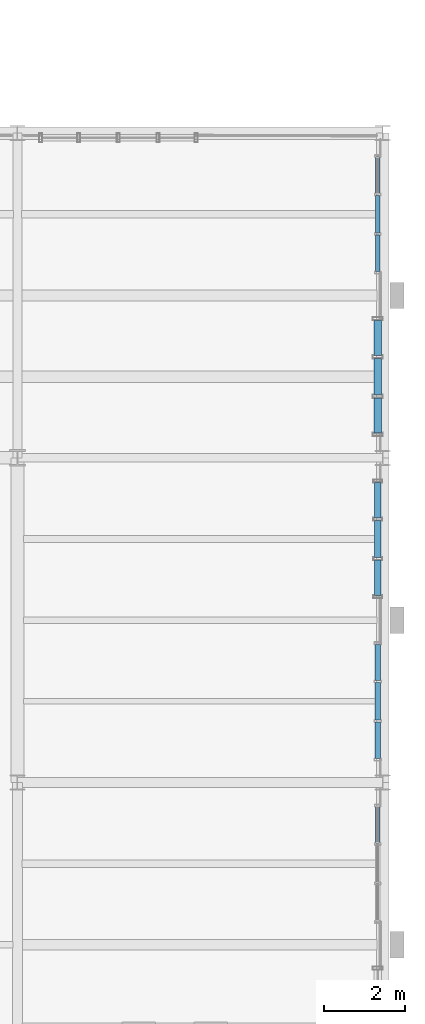
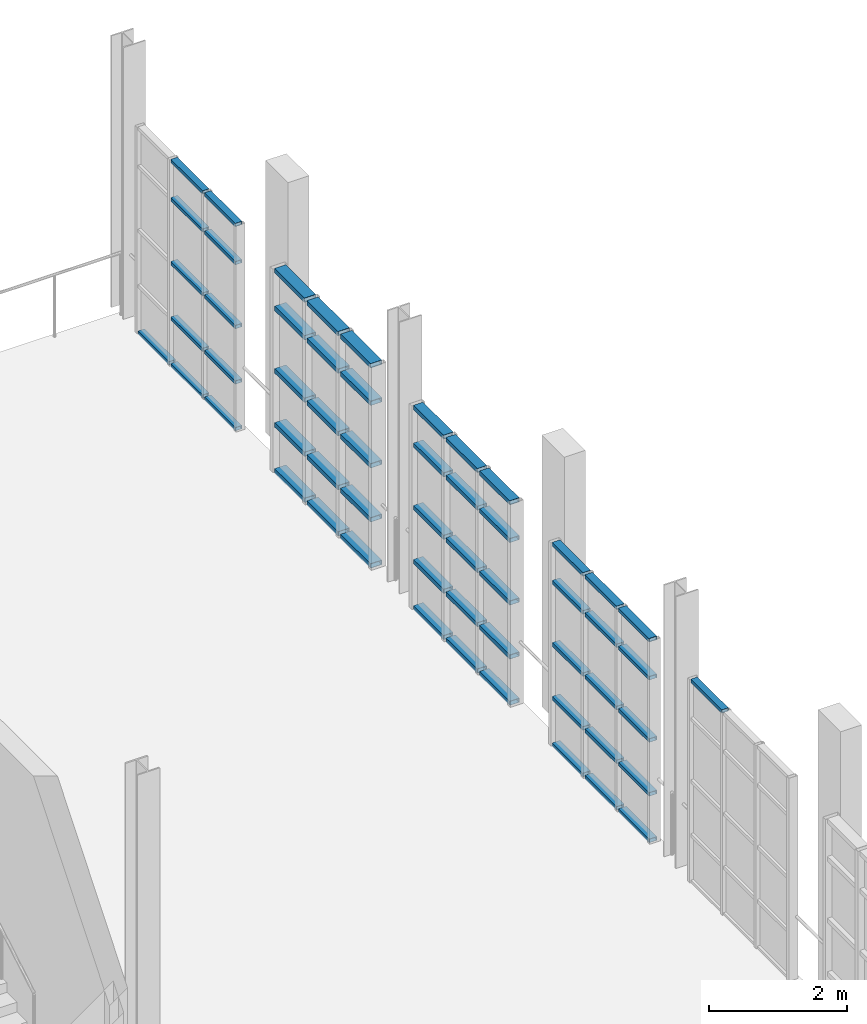
# One storey, part 76 of 122: 57 members, 5 elements without a shape of their own.
"""IFC4 building model written with IfcOpenShell, lengths in metres."""

from ifc_helpers import new_model, si_unit, direction, frame, origin, origin_2d, place, context, subcontext, project, spatial, hollow_rectangle, extrude, material, layer, layer_set, material_profile, profile_set, type_object, element, aggregate, save


model = new_model("IFC4")

# Units and contexts
model_context = context("Model", 3, precision=1e-05, world=origin(), true_north=direction((0.0, 1.0)))
body_context = subcontext(model_context, "Body", "Model", "MODEL_VIEW")
ifc_project = project(units=[si_unit("LENGTHUNIT", "METRE"), si_unit("AREAUNIT", "SQUARE_METRE"), si_unit("VOLUMEUNIT", "CUBIC_METRE"), si_unit("PLANEANGLEUNIT", "RADIAN"), si_unit("MASSUNIT", "GRAM", prefix="KILO"), si_unit("THERMODYNAMICTEMPERATUREUNIT", "KELVIN"), si_unit("POWERUNIT", "WATT")], contexts=[model_context])

# Site, building, storey
site_placement = place(None, origin())
site = spatial("IfcSite", under=ifc_project, at=site_placement, CompositionType="ELEMENT")
building_placement = place(site_placement, origin())
building = spatial("IfcBuilding", under=site, at=building_placement, Name="Zelmaris Science Centre", CompositionType="ELEMENT")
storey_placement = place(building_placement, frame((0.0, 0.0, 10.800048828125)))
storey = spatial("IfcBuildingStorey", under=building, at=storey_placement, Name="L02", CompositionType="ELEMENT", Elevation=10.800048828125)

# Curtain wall, members
ifc_material = material(Name="Anodised architectural aluminium 6063-T6", Category="aluminium")
ifc_layer_1 = layer(ifc_material, 0.219970703125, Name="Anodised architectural aluminium 6063-T6")
ifc_layer_set_1 = layer_set([ifc_layer_1], Name="Anodised architectural aluminium 6063-T6")
curtain_wall_type_1 = type_object("IfcCurtainWallType", Name="Curtain Wall CW-04", PredefinedType="USERDEFINED", material=ifc_layer_set_1)
curtain_wall_1_placement = place(storey_placement, origin())
curtain_wall_1 = element("IfcCurtainWall", 1, at=curtain_wall_1_placement, inside=storey, type_object=curtain_wall_type_1, Name="L02 Unitised curtain wall 224", ObjectType="GLAZED CURTAIN WALL", PredefinedType="USERDEFINED")
ifc_material_profile_1 = material_profile(ifc_material, hollow_rectangle(XDim=0.06005859375, YDim=0.110107421875, WallThickness=0.0029296875, at=origin_2d()), Name="ALU-TRN-60X110")
ifc_profile_set_1 = profile_set([ifc_material_profile_1], Name="Anodised architectural aluminium 6063-T6")
member_type_1 = type_object("IfcMemberType", Name="ALU-TRN-60X110", PredefinedType="USERDEFINED", material=ifc_profile_set_1)
member_1_placement = place(storey_placement, frame((143.8798828125, 55.407958984375, 0.010986328125), z_axis=(0.0, -1.0, 0.0), x_axis=(0.0, 0.0, 1.0)))
member_1 = element("IfcMember", 2, at=member_1_placement, type_object=member_type_1, Name="CW-04 transom 1.1", ObjectType="TRANSOM", PredefinedType="USERDEFINED", context=body_context, shape_type="SweptSolid", body=[
    extrude(hollow_rectangle(XDim=0.06005859375, YDim=0.110107421875, WallThickness=0.0029296875, at=origin_2d()), origin(), (0.0, 0.0, 1.0), 0.895263671875),
])
member_2_placement = place(storey_placement, frame((143.8798828125, 54.460693359375, 0.010986328125), z_axis=(0.0, -1.0, 0.0), x_axis=(0.0, 0.0, 1.0)))
member_2 = element("IfcMember", 3, at=member_2_placement, type_object=member_type_1, Name="CW-04 transom 2.1", ObjectType="TRANSOM", PredefinedType="USERDEFINED", context=body_context, shape_type="SweptSolid", body=[
    extrude(hollow_rectangle(XDim=0.06005859375, YDim=0.110107421875, WallThickness=0.0029296875, at=origin_2d()), origin(), (0.0, 0.0, 1.0), 0.92138671875),
])
member_3_placement = place(storey_placement, frame((143.8798828125, 54.460693359375, 0.8349609375), z_axis=(0.0, -1.0, 0.0), x_axis=(0.0, 0.0, 1.0)))
member_3 = element("IfcMember", 4, at=member_3_placement, type_object=member_type_1, Name="CW-04 transom 2.2", ObjectType="TRANSOM", PredefinedType="USERDEFINED", context=body_context, shape_type="SweptSolid", body=[
    extrude(hollow_rectangle(XDim=0.06005859375, YDim=0.110107421875, WallThickness=0.0029296875, at=origin_2d()), origin(), (0.0, 0.0, 1.0), 0.92138671875),
])
member_4_placement = place(storey_placement, frame((143.8798828125, 54.460693359375, 1.814453125), z_axis=(0.0, -1.0, 0.0), x_axis=(0.0, 0.0, 1.0)))
member_4 = element("IfcMember", 5, at=member_4_placement, type_object=member_type_1, Name="CW-04 transom 2.3", ObjectType="TRANSOM", PredefinedType="USERDEFINED", context=body_context, shape_type="SweptSolid", body=[
    extrude(hollow_rectangle(XDim=0.06005859375, YDim=0.110107421875, WallThickness=0.0029296875, at=origin_2d()), origin(), (0.0, 0.0, 1.0), 0.92138671875),
])
member_5_placement = place(storey_placement, frame((143.8798828125, 54.460693359375, 2.94384765625), z_axis=(0.0, -1.0, 0.0), x_axis=(0.0, 0.0, 1.0)))
member_5 = element("IfcMember", 6, at=member_5_placement, type_object=member_type_1, Name="CW-04 transom 2.4", ObjectType="TRANSOM", PredefinedType="USERDEFINED", context=body_context, shape_type="SweptSolid", body=[
    extrude(hollow_rectangle(XDim=0.06005859375, YDim=0.110107421875, WallThickness=0.0029296875, at=origin_2d()), origin(), (0.0, 0.0, 1.0), 0.92138671875),
])
member_6_placement = place(storey_placement, frame((143.8798828125, 54.460693359375, 3.617919921875), z_axis=(0.0, -1.0, 0.0), x_axis=(0.0, 0.0, 1.0)))
member_6 = element("IfcMember", 7, at=member_6_placement, type_object=member_type_1, Name="CW-04 transom 2.5", ObjectType="TRANSOM", PredefinedType="USERDEFINED", context=body_context, shape_type="SweptSolid", body=[
    extrude(hollow_rectangle(XDim=0.06005859375, YDim=0.110107421875, WallThickness=0.0029296875, at=origin_2d()), origin(), (0.0, 0.0, 1.0), 0.92138671875),
])
member_7_placement = place(storey_placement, frame((143.8798828125, 53.4873046875, 0.010986328125), z_axis=(0.0, -1.0, 0.0), x_axis=(0.0, 0.0, 1.0)))
member_7 = element("IfcMember", 8, at=member_7_placement, type_object=member_type_1, Name="CW-04 transom 3.1", ObjectType="TRANSOM", PredefinedType="USERDEFINED", context=body_context, shape_type="SweptSolid", body=[
    extrude(hollow_rectangle(XDim=0.06005859375, YDim=0.110107421875, WallThickness=0.0029296875, at=origin_2d()), origin(), (0.0, 0.0, 1.0), 0.895263671875),
])
member_8_placement = place(storey_placement, frame((143.8798828125, 53.4873046875, 0.8349609375), z_axis=(0.0, -1.0, 0.0), x_axis=(0.0, 0.0, 1.0)))
member_8 = element("IfcMember", 9, at=member_8_placement, type_object=member_type_1, Name="CW-04 transom 3.2", ObjectType="TRANSOM", PredefinedType="USERDEFINED", context=body_context, shape_type="SweptSolid", body=[
    extrude(hollow_rectangle(XDim=0.06005859375, YDim=0.110107421875, WallThickness=0.0029296875, at=origin_2d()), origin(), (0.0, 0.0, 1.0), 0.895263671875),
])
member_9_placement = place(storey_placement, frame((143.8798828125, 53.4873046875, 1.814453125), z_axis=(0.0, -1.0, 0.0), x_axis=(0.0, 0.0, 1.0)))
member_9 = element("IfcMember", 10, at=member_9_placement, type_object=member_type_1, Name="CW-04 transom 3.3", ObjectType="TRANSOM", PredefinedType="USERDEFINED", context=body_context, shape_type="SweptSolid", body=[
    extrude(hollow_rectangle(XDim=0.06005859375, YDim=0.110107421875, WallThickness=0.0029296875, at=origin_2d()), origin(), (0.0, 0.0, 1.0), 0.895263671875),
])
member_10_placement = place(storey_placement, frame((143.8798828125, 53.4873046875, 2.94384765625), z_axis=(0.0, -1.0, 0.0), x_axis=(0.0, 0.0, 1.0)))
member_10 = element("IfcMember", 11, at=member_10_placement, type_object=member_type_1, Name="CW-04 transom 3.4", ObjectType="TRANSOM", PredefinedType="USERDEFINED", context=body_context, shape_type="SweptSolid", body=[
    extrude(hollow_rectangle(XDim=0.06005859375, YDim=0.110107421875, WallThickness=0.0029296875, at=origin_2d()), origin(), (0.0, 0.0, 1.0), 0.895263671875),
])
member_11_placement = place(storey_placement, frame((143.8798828125, 53.4873046875, 3.617919921875), z_axis=(0.0, -1.0, 0.0), x_axis=(0.0, 0.0, 1.0)))
member_11 = element("IfcMember", 12, at=member_11_placement, type_object=member_type_1, Name="CW-04 transom 3.5", ObjectType="TRANSOM", PredefinedType="USERDEFINED", context=body_context, shape_type="SweptSolid", body=[
    extrude(hollow_rectangle(XDim=0.06005859375, YDim=0.110107421875, WallThickness=0.0029296875, at=origin_2d()), origin(), (0.0, 0.0, 1.0), 0.895263671875),
])
aggregate(curtain_wall_1, [member_1, member_2, member_3, member_4, member_5, member_6, member_7, member_8, member_9, member_10, member_11])

# Curtain wall, member
curtain_wall_2_placement = place(storey_placement, origin())
curtain_wall_2 = element("IfcCurtainWall", 13, at=curtain_wall_2_placement, inside=storey, type_object=curtain_wall_type_1, Name="L02 Unitised curtain wall 228", ObjectType="GLAZED CURTAIN WALL", PredefinedType="USERDEFINED")
member_12_placement = place(storey_placement, frame((143.8798828125, 39.407958984375, 3.56005859375), z_axis=(0.0, -1.0, 0.0), x_axis=(0.0, 0.0, 1.0)))
member_12 = element("IfcMember", 14, at=member_12_placement, type_object=member_type_1, Name="CW-04 transom 1.5", ObjectType="TRANSOM", PredefinedType="USERDEFINED", context=body_context, shape_type="SweptSolid", body=[
    extrude(hollow_rectangle(XDim=0.06005859375, YDim=0.110107421875, WallThickness=0.0029296875, at=origin_2d()), origin(), (0.0, 0.0, 1.0), 0.895263671875),
])
aggregate(curtain_wall_2, [member_12])

# Curtain wall, members
ifc_layer_2 = layer(ifc_material, 0.2099609375, Name="Anodised architectural aluminium 6063-T6")
ifc_layer_set_2 = layer_set([ifc_layer_2], Name="Anodised architectural aluminium 6063-T6")
curtain_wall_type_2 = type_object("IfcCurtainWallType", Name="Curtain Wall CW-03", PredefinedType="USERDEFINED", material=ifc_layer_set_2)
curtain_wall_3_placement = place(storey_placement, origin())
curtain_wall_3 = element("IfcCurtainWall", 15, at=curtain_wall_3_placement, inside=storey, type_object=curtain_wall_type_2, Name="L02 Unitised curtain wall 227", ObjectType="GLAZED CURTAIN WALL", PredefinedType="USERDEFINED")
ifc_material_profile_2 = material_profile(ifc_material, hollow_rectangle(XDim=0.06494140625, YDim=0.1298828125, WallThickness=0.00341796875, at=origin_2d()), Name="ALU-TRN-65X130")
ifc_profile_set_2 = profile_set([ifc_material_profile_2], Name="Anodised architectural aluminium 6063-T6")
member_type_2 = type_object("IfcMemberType", Name="ALU-TRN-65X130", PredefinedType="USERDEFINED", material=ifc_profile_set_2)
member_13_placement = place(storey_placement, frame((143.8798828125, 43.403076171875, 0.013427734375), z_axis=(0.0, -1.0, 0.0), x_axis=(0.0, 0.0, 1.0)))
member_13 = element("IfcMember", 16, at=member_13_placement, type_object=member_type_2, Name="CW-03 transom 1.1", ObjectType="TRANSOM", PredefinedType="USERDEFINED", context=body_context, shape_type="SweptSolid", body=[
    extrude(hollow_rectangle(XDim=0.06494140625, YDim=0.1298828125, WallThickness=0.00341796875, at=origin_2d()), origin(), (0.0, 0.0, 1.0), 0.887939453125),
])
member_14_placement = place(storey_placement, frame((143.8798828125, 43.403076171875, 0.8349609375), z_axis=(0.0, -1.0, 0.0), x_axis=(0.0, 0.0, 1.0)))
member_14 = element("IfcMember", 17, at=member_14_placement, type_object=member_type_2, Name="CW-03 transom 1.2", ObjectType="TRANSOM", PredefinedType="USERDEFINED", context=body_context, shape_type="SweptSolid", body=[
    extrude(hollow_rectangle(XDim=0.06494140625, YDim=0.1298828125, WallThickness=0.00341796875, at=origin_2d()), origin(), (0.0, 0.0, 1.0), 0.887939453125),
])
member_15_placement = place(storey_placement, frame((143.8798828125, 43.403076171875, 1.785400390625), z_axis=(0.0, -1.0, 0.0), x_axis=(0.0, 0.0, 1.0)))
member_15 = element("IfcMember", 18, at=member_15_placement, type_object=member_type_2, Name="CW-03 transom 1.3", ObjectType="TRANSOM", PredefinedType="USERDEFINED", context=body_context, shape_type="SweptSolid", body=[
    extrude(hollow_rectangle(XDim=0.06494140625, YDim=0.1298828125, WallThickness=0.00341796875, at=origin_2d()), origin(), (0.0, 0.0, 1.0), 0.887939453125),
])
member_16_placement = place(storey_placement, frame((143.8798828125, 43.403076171875, 2.885986328125), z_axis=(0.0, -1.0, 0.0), x_axis=(0.0, 0.0, 1.0)))
member_16 = element("IfcMember", 19, at=member_16_placement, type_object=member_type_2, Name="CW-03 transom 1.4", ObjectType="TRANSOM", PredefinedType="USERDEFINED", context=body_context, shape_type="SweptSolid", body=[
    extrude(hollow_rectangle(XDim=0.06494140625, YDim=0.1298828125, WallThickness=0.00341796875, at=origin_2d()), origin(), (0.0, 0.0, 1.0), 0.887939453125),
])
member_17_placement = place(storey_placement, frame((143.8798828125, 43.403076171875, 3.557373046875), z_axis=(0.0, -1.0, 0.0), x_axis=(0.0, 0.0, 1.0)))
member_17 = element("IfcMember", 20, at=member_17_placement, type_object=member_type_2, Name="CW-03 transom 1.5", ObjectType="TRANSOM", PredefinedType="USERDEFINED", context=body_context, shape_type="SweptSolid", body=[
    extrude(hollow_rectangle(XDim=0.06494140625, YDim=0.1298828125, WallThickness=0.00341796875, at=origin_2d()), origin(), (0.0, 0.0, 1.0), 0.887939453125),
])
member_18_placement = place(storey_placement, frame((143.8798828125, 42.458251953125, 0.013427734375), z_axis=(0.0, -1.0, 0.0), x_axis=(0.0, 0.0, 1.0)))
member_18 = element("IfcMember", 21, at=member_18_placement, type_object=member_type_2, Name="CW-03 transom 2.1", ObjectType="TRANSOM", PredefinedType="USERDEFINED", context=body_context, shape_type="SweptSolid", body=[
    extrude(hollow_rectangle(XDim=0.06494140625, YDim=0.1298828125, WallThickness=0.00341796875, at=origin_2d()), origin(), (0.0, 0.0, 1.0), 0.91650390625),
])
member_19_placement = place(storey_placement, frame((143.8798828125, 42.458251953125, 0.8349609375), z_axis=(0.0, -1.0, 0.0), x_axis=(0.0, 0.0, 1.0)))
member_19 = element("IfcMember", 22, at=member_19_placement, type_object=member_type_2, Name="CW-03 transom 2.2", ObjectType="TRANSOM", PredefinedType="USERDEFINED", context=body_context, shape_type="SweptSolid", body=[
    extrude(hollow_rectangle(XDim=0.06494140625, YDim=0.1298828125, WallThickness=0.00341796875, at=origin_2d()), origin(), (0.0, 0.0, 1.0), 0.91650390625),
])
member_20_placement = place(storey_placement, frame((143.8798828125, 42.458251953125, 1.785400390625), z_axis=(0.0, -1.0, 0.0), x_axis=(0.0, 0.0, 1.0)))
member_20 = element("IfcMember", 23, at=member_20_placement, type_object=member_type_2, Name="CW-03 transom 2.3", ObjectType="TRANSOM", PredefinedType="USERDEFINED", context=body_context, shape_type="SweptSolid", body=[
    extrude(hollow_rectangle(XDim=0.06494140625, YDim=0.1298828125, WallThickness=0.00341796875, at=origin_2d()), origin(), (0.0, 0.0, 1.0), 0.91650390625),
])
member_21_placement = place(storey_placement, frame((143.8798828125, 42.458251953125, 2.885986328125), z_axis=(0.0, -1.0, 0.0), x_axis=(0.0, 0.0, 1.0)))
member_21 = element("IfcMember", 24, at=member_21_placement, type_object=member_type_2, Name="CW-03 transom 2.4", ObjectType="TRANSOM", PredefinedType="USERDEFINED", context=body_context, shape_type="SweptSolid", body=[
    extrude(hollow_rectangle(XDim=0.06494140625, YDim=0.1298828125, WallThickness=0.00341796875, at=origin_2d()), origin(), (0.0, 0.0, 1.0), 0.91650390625),
])
member_22_placement = place(storey_placement, frame((143.8798828125, 42.458251953125, 3.557373046875), z_axis=(0.0, -1.0, 0.0), x_axis=(0.0, 0.0, 1.0)))
member_22 = element("IfcMember", 25, at=member_22_placement, type_object=member_type_2, Name="CW-03 transom 2.5", ObjectType="TRANSOM", PredefinedType="USERDEFINED", context=body_context, shape_type="SweptSolid", body=[
    extrude(hollow_rectangle(XDim=0.06494140625, YDim=0.1298828125, WallThickness=0.00341796875, at=origin_2d()), origin(), (0.0, 0.0, 1.0), 0.91650390625),
])
member_23_placement = place(storey_placement, frame((143.8798828125, 41.48486328125, 0.013427734375), z_axis=(0.0, -1.0, 0.0), x_axis=(0.0, 0.0, 1.0)))
member_23 = element("IfcMember", 26, at=member_23_placement, type_object=member_type_2, Name="CW-03 transom 3.1", ObjectType="TRANSOM", PredefinedType="USERDEFINED", context=body_context, shape_type="SweptSolid", body=[
    extrude(hollow_rectangle(XDim=0.06494140625, YDim=0.1298828125, WallThickness=0.00341796875, at=origin_2d()), origin(), (0.0, 0.0, 1.0), 0.887939453125),
])
member_24_placement = place(storey_placement, frame((143.8798828125, 41.48486328125, 0.8349609375), z_axis=(0.0, -1.0, 0.0), x_axis=(0.0, 0.0, 1.0)))
member_24 = element("IfcMember", 27, at=member_24_placement, type_object=member_type_2, Name="CW-03 transom 3.2", ObjectType="TRANSOM", PredefinedType="USERDEFINED", context=body_context, shape_type="SweptSolid", body=[
    extrude(hollow_rectangle(XDim=0.06494140625, YDim=0.1298828125, WallThickness=0.00341796875, at=origin_2d()), origin(), (0.0, 0.0, 1.0), 0.887939453125),
])
member_25_placement = place(storey_placement, frame((143.8798828125, 41.48486328125, 1.785400390625), z_axis=(0.0, -1.0, 0.0), x_axis=(0.0, 0.0, 1.0)))
member_25 = element("IfcMember", 28, at=member_25_placement, type_object=member_type_2, Name="CW-03 transom 3.3", ObjectType="TRANSOM", PredefinedType="USERDEFINED", context=body_context, shape_type="SweptSolid", body=[
    extrude(hollow_rectangle(XDim=0.06494140625, YDim=0.1298828125, WallThickness=0.00341796875, at=origin_2d()), origin(), (0.0, 0.0, 1.0), 0.887939453125),
])
member_26_placement = place(storey_placement, frame((143.8798828125, 41.48486328125, 2.885986328125), z_axis=(0.0, -1.0, 0.0), x_axis=(0.0, 0.0, 1.0)))
member_26 = element("IfcMember", 29, at=member_26_placement, type_object=member_type_2, Name="CW-03 transom 3.4", ObjectType="TRANSOM", PredefinedType="USERDEFINED", context=body_context, shape_type="SweptSolid", body=[
    extrude(hollow_rectangle(XDim=0.06494140625, YDim=0.1298828125, WallThickness=0.00341796875, at=origin_2d()), origin(), (0.0, 0.0, 1.0), 0.887939453125),
])
member_27_placement = place(storey_placement, frame((143.8798828125, 41.48486328125, 3.557373046875), z_axis=(0.0, -1.0, 0.0), x_axis=(0.0, 0.0, 1.0)))
member_27 = element("IfcMember", 30, at=member_27_placement, type_object=member_type_2, Name="CW-03 transom 3.5", ObjectType="TRANSOM", PredefinedType="USERDEFINED", context=body_context, shape_type="SweptSolid", body=[
    extrude(hollow_rectangle(XDim=0.06494140625, YDim=0.1298828125, WallThickness=0.00341796875, at=origin_2d()), origin(), (0.0, 0.0, 1.0), 0.887939453125),
])
aggregate(curtain_wall_3, [member_13, member_14, member_15, member_16, member_17, member_18, member_19, member_20, member_21, member_22, member_23, member_24, member_25, member_26, member_27])

ifc_layer_3 = layer(ifc_material, 0.199951171875, Name="Anodised architectural aluminium 6063-T6")
ifc_layer_set_3 = layer_set([ifc_layer_3], Name="Anodised architectural aluminium 6063-T6")
curtain_wall_type_3 = type_object("IfcCurtainWallType", Name="Curtain Wall CW-02", PredefinedType="USERDEFINED", material=ifc_layer_set_3)
curtain_wall_4_placement = place(storey_placement, origin())
curtain_wall_4 = element("IfcCurtainWall", 31, at=curtain_wall_4_placement, inside=storey, type_object=curtain_wall_type_3, Name="L02 Unitised curtain wall 226", ObjectType="GLAZED CURTAIN WALL", PredefinedType="USERDEFINED")
ifc_material_profile_3 = material_profile(ifc_material, hollow_rectangle(XDim=0.074951171875, YDim=0.159912109375, WallThickness=0.00390625, at=origin_2d()), Name="ALU-TRN-75X160")
ifc_profile_set_3 = profile_set([ifc_material_profile_3], Name="Anodised architectural aluminium 6063-T6")
member_type_3 = type_object("IfcMemberType", Name="ALU-TRN-75X160", PredefinedType="USERDEFINED", material=ifc_profile_set_3)
member_28_placement = place(storey_placement, frame((143.8798828125, 47.39306640625, 0.0185546875), z_axis=(0.0, -1.0, 0.0), x_axis=(0.0, 0.0, 1.0)))
member_28 = element("IfcMember", 32, at=member_28_placement, type_object=member_type_3, Name="CW-02 transom 1.1", ObjectType="TRANSOM", PredefinedType="USERDEFINED", context=body_context, shape_type="SweptSolid", body=[
    extrude(hollow_rectangle(XDim=0.074951171875, YDim=0.159912109375, WallThickness=0.00390625, at=origin_2d()), origin(), (0.0, 0.0, 1.0), 0.872802734375),
])
member_29_placement = place(storey_placement, frame((143.8798828125, 47.39306640625, 0.8349609375), z_axis=(0.0, -1.0, 0.0), x_axis=(0.0, 0.0, 1.0)))
member_29 = element("IfcMember", 33, at=member_29_placement, type_object=member_type_3, Name="CW-02 transom 1.2", ObjectType="TRANSOM", PredefinedType="USERDEFINED", context=body_context, shape_type="SweptSolid", body=[
    extrude(hollow_rectangle(XDim=0.074951171875, YDim=0.159912109375, WallThickness=0.00390625, at=origin_2d()), origin(), (0.0, 0.0, 1.0), 0.872802734375),
])
member_30_placement = place(storey_placement, frame((143.8798828125, 47.39306640625, 1.7890625), z_axis=(0.0, -1.0, 0.0), x_axis=(0.0, 0.0, 1.0)))
member_30 = element("IfcMember", 34, at=member_30_placement, type_object=member_type_3, Name="CW-02 transom 1.3", ObjectType="TRANSOM", PredefinedType="USERDEFINED", context=body_context, shape_type="SweptSolid", body=[
    extrude(hollow_rectangle(XDim=0.074951171875, YDim=0.159912109375, WallThickness=0.00390625, at=origin_2d()), origin(), (0.0, 0.0, 1.0), 0.872802734375),
])
member_31_placement = place(storey_placement, frame((143.8798828125, 47.39306640625, 2.89306640625), z_axis=(0.0, -1.0, 0.0), x_axis=(0.0, 0.0, 1.0)))
member_31 = element("IfcMember", 35, at=member_31_placement, type_object=member_type_3, Name="CW-02 transom 1.4", ObjectType="TRANSOM", PredefinedType="USERDEFINED", context=body_context, shape_type="SweptSolid", body=[
    extrude(hollow_rectangle(XDim=0.074951171875, YDim=0.159912109375, WallThickness=0.00390625, at=origin_2d()), origin(), (0.0, 0.0, 1.0), 0.872802734375),
])
member_32_placement = place(storey_placement, frame((143.8798828125, 47.39306640625, 3.5595703125), z_axis=(0.0, -1.0, 0.0), x_axis=(0.0, 0.0, 1.0)))
member_32 = element("IfcMember", 36, at=member_32_placement, type_object=member_type_3, Name="CW-02 transom 1.5", ObjectType="TRANSOM", PredefinedType="USERDEFINED", context=body_context, shape_type="SweptSolid", body=[
    extrude(hollow_rectangle(XDim=0.074951171875, YDim=0.159912109375, WallThickness=0.00390625, at=origin_2d()), origin(), (0.0, 0.0, 1.0), 0.872802734375),
])
member_33_placement = place(storey_placement, frame((143.8798828125, 46.453125, 0.0185546875), z_axis=(0.0, -1.0, 0.0), x_axis=(0.0, 0.0, 1.0)))
member_33 = element("IfcMember", 37, at=member_33_placement, type_object=member_type_3, Name="CW-02 transom 2.1", ObjectType="TRANSOM", PredefinedType="USERDEFINED", context=body_context, shape_type="SweptSolid", body=[
    extrude(hollow_rectangle(XDim=0.074951171875, YDim=0.159912109375, WallThickness=0.00390625, at=origin_2d()), origin(), (0.0, 0.0, 1.0), 0.90625),
])
member_34_placement = place(storey_placement, frame((143.8798828125, 46.453125, 0.8349609375), z_axis=(0.0, -1.0, 0.0), x_axis=(0.0, 0.0, 1.0)))
member_34 = element("IfcMember", 38, at=member_34_placement, type_object=member_type_3, Name="CW-02 transom 2.2", ObjectType="TRANSOM", PredefinedType="USERDEFINED", context=body_context, shape_type="SweptSolid", body=[
    extrude(hollow_rectangle(XDim=0.074951171875, YDim=0.159912109375, WallThickness=0.00390625, at=origin_2d()), origin(), (0.0, 0.0, 1.0), 0.90625),
])
member_35_placement = place(storey_placement, frame((143.8798828125, 46.453125, 1.7890625), z_axis=(0.0, -1.0, 0.0), x_axis=(0.0, 0.0, 1.0)))
member_35 = element("IfcMember", 39, at=member_35_placement, type_object=member_type_3, Name="CW-02 transom 2.3", ObjectType="TRANSOM", PredefinedType="USERDEFINED", context=body_context, shape_type="SweptSolid", body=[
    extrude(hollow_rectangle(XDim=0.074951171875, YDim=0.159912109375, WallThickness=0.00390625, at=origin_2d()), origin(), (0.0, 0.0, 1.0), 0.90625),
])
member_36_placement = place(storey_placement, frame((143.8798828125, 46.453125, 2.89306640625), z_axis=(0.0, -1.0, 0.0), x_axis=(0.0, 0.0, 1.0)))
member_36 = element("IfcMember", 40, at=member_36_placement, type_object=member_type_3, Name="CW-02 transom 2.4", ObjectType="TRANSOM", PredefinedType="USERDEFINED", context=body_context, shape_type="SweptSolid", body=[
    extrude(hollow_rectangle(XDim=0.074951171875, YDim=0.159912109375, WallThickness=0.00390625, at=origin_2d()), origin(), (0.0, 0.0, 1.0), 0.90625),
])
member_37_placement = place(storey_placement, frame((143.8798828125, 46.453125, 3.5595703125), z_axis=(0.0, -1.0, 0.0), x_axis=(0.0, 0.0, 1.0)))
member_37 = element("IfcMember", 41, at=member_37_placement, type_object=member_type_3, Name="CW-02 transom 2.5", ObjectType="TRANSOM", PredefinedType="USERDEFINED", context=body_context, shape_type="SweptSolid", body=[
    extrude(hollow_rectangle(XDim=0.074951171875, YDim=0.159912109375, WallThickness=0.00390625, at=origin_2d()), origin(), (0.0, 0.0, 1.0), 0.90625),
])
member_38_placement = place(storey_placement, frame((143.8798828125, 45.479736328125, 0.0185546875), z_axis=(0.0, -1.0, 0.0), x_axis=(0.0, 0.0, 1.0)))
member_38 = element("IfcMember", 42, at=member_38_placement, type_object=member_type_3, Name="CW-02 transom 3.1", ObjectType="TRANSOM", PredefinedType="USERDEFINED", context=body_context, shape_type="SweptSolid", body=[
    extrude(hollow_rectangle(XDim=0.074951171875, YDim=0.159912109375, WallThickness=0.00390625, at=origin_2d()), origin(), (0.0, 0.0, 1.0), 0.872802734375),
])
member_39_placement = place(storey_placement, frame((143.8798828125, 45.479736328125, 0.8349609375), z_axis=(0.0, -1.0, 0.0), x_axis=(0.0, 0.0, 1.0)))
member_39 = element("IfcMember", 43, at=member_39_placement, type_object=member_type_3, Name="CW-02 transom 3.2", ObjectType="TRANSOM", PredefinedType="USERDEFINED", context=body_context, shape_type="SweptSolid", body=[
    extrude(hollow_rectangle(XDim=0.074951171875, YDim=0.159912109375, WallThickness=0.00390625, at=origin_2d()), origin(), (0.0, 0.0, 1.0), 0.872802734375),
])
member_40_placement = place(storey_placement, frame((143.8798828125, 45.479736328125, 1.7890625), z_axis=(0.0, -1.0, 0.0), x_axis=(0.0, 0.0, 1.0)))
member_40 = element("IfcMember", 44, at=member_40_placement, type_object=member_type_3, Name="CW-02 transom 3.3", ObjectType="TRANSOM", PredefinedType="USERDEFINED", context=body_context, shape_type="SweptSolid", body=[
    extrude(hollow_rectangle(XDim=0.074951171875, YDim=0.159912109375, WallThickness=0.00390625, at=origin_2d()), origin(), (0.0, 0.0, 1.0), 0.872802734375),
])
member_41_placement = place(storey_placement, frame((143.8798828125, 45.479736328125, 2.89306640625), z_axis=(0.0, -1.0, 0.0), x_axis=(0.0, 0.0, 1.0)))
member_41 = element("IfcMember", 45, at=member_41_placement, type_object=member_type_3, Name="CW-02 transom 3.4", ObjectType="TRANSOM", PredefinedType="USERDEFINED", context=body_context, shape_type="SweptSolid", body=[
    extrude(hollow_rectangle(XDim=0.074951171875, YDim=0.159912109375, WallThickness=0.00390625, at=origin_2d()), origin(), (0.0, 0.0, 1.0), 0.872802734375),
])
member_42_placement = place(storey_placement, frame((143.8798828125, 45.479736328125, 3.5595703125), z_axis=(0.0, -1.0, 0.0), x_axis=(0.0, 0.0, 1.0)))
member_42 = element("IfcMember", 46, at=member_42_placement, type_object=member_type_3, Name="CW-02 transom 3.5", ObjectType="TRANSOM", PredefinedType="USERDEFINED", context=body_context, shape_type="SweptSolid", body=[
    extrude(hollow_rectangle(XDim=0.074951171875, YDim=0.159912109375, WallThickness=0.00390625, at=origin_2d()), origin(), (0.0, 0.0, 1.0), 0.872802734375),
])
aggregate(curtain_wall_4, [member_28, member_29, member_30, member_31, member_32, member_33, member_34, member_35, member_36, member_37, member_38, member_39, member_40, member_41, member_42])

ifc_layer_4 = layer(ifc_material, 0.18994140625, Name="Anodised architectural aluminium 6063-T6")
ifc_layer_set_4 = layer_set([ifc_layer_4], Name="Anodised architectural aluminium 6063-T6")
curtain_wall_type_4 = type_object("IfcCurtainWallType", Name="Curtain Wall CW-01", PredefinedType="USERDEFINED", material=ifc_layer_set_4)
curtain_wall_5_placement = place(storey_placement, origin())
curtain_wall_5 = element("IfcCurtainWall", 47, at=curtain_wall_5_placement, inside=storey, type_object=curtain_wall_type_4, Name="L02 Unitised curtain wall 225", ObjectType="GLAZED CURTAIN WALL", PredefinedType="USERDEFINED")
ifc_material_profile_4 = material_profile(ifc_material, hollow_rectangle(XDim=0.080078125, YDim=0.18994140625, WallThickness=0.00439453125, at=origin_2d()), Name="ALU-TRN-80X190")
ifc_profile_set_4 = profile_set([ifc_material_profile_4], Name="Anodised architectural aluminium 6063-T6")
member_type_4 = type_object("IfcMemberType", Name="ALU-TRN-80X190", PredefinedType="USERDEFINED", material=ifc_profile_set_4)
member_43_placement = place(storey_placement, frame((143.8798828125, 51.387939453125, 0.02099609375), z_axis=(0.0, -1.0, 0.0), x_axis=(0.0, 0.0, 1.0)))
member_43 = element("IfcMember", 48, at=member_43_placement, type_object=member_type_4, Name="CW-01 transom 1.1", ObjectType="TRANSOM", PredefinedType="USERDEFINED", context=body_context, shape_type="SweptSolid", body=[
    extrude(hollow_rectangle(XDim=0.080078125, YDim=0.18994140625, WallThickness=0.00439453125, at=origin_2d()), origin(), (0.0, 0.0, 1.0), 0.865234375),
])
member_44_placement = place(storey_placement, frame((143.8798828125, 51.387939453125, 0.8349609375), z_axis=(0.0, -1.0, 0.0), x_axis=(0.0, 0.0, 1.0)))
member_44 = element("IfcMember", 49, at=member_44_placement, type_object=member_type_4, Name="CW-01 transom 1.2", ObjectType="TRANSOM", PredefinedType="USERDEFINED", context=body_context, shape_type="SweptSolid", body=[
    extrude(hollow_rectangle(XDim=0.080078125, YDim=0.18994140625, WallThickness=0.00439453125, at=origin_2d()), origin(), (0.0, 0.0, 1.0), 0.865234375),
])
member_45_placement = place(storey_placement, frame((143.8798828125, 51.387939453125, 1.7890625), z_axis=(0.0, -1.0, 0.0), x_axis=(0.0, 0.0, 1.0)))
member_45 = element("IfcMember", 50, at=member_45_placement, type_object=member_type_4, Name="CW-01 transom 1.3", ObjectType="TRANSOM", PredefinedType="USERDEFINED", context=body_context, shape_type="SweptSolid", body=[
    extrude(hollow_rectangle(XDim=0.080078125, YDim=0.18994140625, WallThickness=0.00439453125, at=origin_2d()), origin(), (0.0, 0.0, 1.0), 0.865234375),
])
member_46_placement = place(storey_placement, frame((143.8798828125, 51.387939453125, 2.89306640625), z_axis=(0.0, -1.0, 0.0), x_axis=(0.0, 0.0, 1.0)))
member_46 = element("IfcMember", 51, at=member_46_placement, type_object=member_type_4, Name="CW-01 transom 1.4", ObjectType="TRANSOM", PredefinedType="USERDEFINED", context=body_context, shape_type="SweptSolid", body=[
    extrude(hollow_rectangle(XDim=0.080078125, YDim=0.18994140625, WallThickness=0.00439453125, at=origin_2d()), origin(), (0.0, 0.0, 1.0), 0.865234375),
])
member_47_placement = place(storey_placement, frame((143.8798828125, 51.387939453125, 3.556884765625), z_axis=(0.0, -1.0, 0.0), x_axis=(0.0, 0.0, 1.0)))
member_47 = element("IfcMember", 52, at=member_47_placement, type_object=member_type_4, Name="CW-01 transom 1.5", ObjectType="TRANSOM", PredefinedType="USERDEFINED", context=body_context, shape_type="SweptSolid", body=[
    extrude(hollow_rectangle(XDim=0.080078125, YDim=0.18994140625, WallThickness=0.00439453125, at=origin_2d()), origin(), (0.0, 0.0, 1.0), 0.865234375),
])
member_48_placement = place(storey_placement, frame((143.8798828125, 50.45068359375, 0.02099609375), z_axis=(0.0, -1.0, 0.0), x_axis=(0.0, 0.0, 1.0)))
member_48 = element("IfcMember", 53, at=member_48_placement, type_object=member_type_4, Name="CW-01 transom 2.1", ObjectType="TRANSOM", PredefinedType="USERDEFINED", context=body_context, shape_type="SweptSolid", body=[
    extrude(hollow_rectangle(XDim=0.080078125, YDim=0.18994140625, WallThickness=0.00439453125, at=origin_2d()), origin(), (0.0, 0.0, 1.0), 0.9013671875),
])
member_49_placement = place(storey_placement, frame((143.8798828125, 50.45068359375, 0.8349609375), z_axis=(0.0, -1.0, 0.0), x_axis=(0.0, 0.0, 1.0)))
member_49 = element("IfcMember", 54, at=member_49_placement, type_object=member_type_4, Name="CW-01 transom 2.2", ObjectType="TRANSOM", PredefinedType="USERDEFINED", context=body_context, shape_type="SweptSolid", body=[
    extrude(hollow_rectangle(XDim=0.080078125, YDim=0.18994140625, WallThickness=0.00439453125, at=origin_2d()), origin(), (0.0, 0.0, 1.0), 0.9013671875),
])
member_50_placement = place(storey_placement, frame((143.8798828125, 50.45068359375, 1.7890625), z_axis=(0.0, -1.0, 0.0), x_axis=(0.0, 0.0, 1.0)))
member_50 = element("IfcMember", 55, at=member_50_placement, type_object=member_type_4, Name="CW-01 transom 2.3", ObjectType="TRANSOM", PredefinedType="USERDEFINED", context=body_context, shape_type="SweptSolid", body=[
    extrude(hollow_rectangle(XDim=0.080078125, YDim=0.18994140625, WallThickness=0.00439453125, at=origin_2d()), origin(), (0.0, 0.0, 1.0), 0.9013671875),
])
member_51_placement = place(storey_placement, frame((143.8798828125, 50.45068359375, 2.89306640625), z_axis=(0.0, -1.0, 0.0), x_axis=(0.0, 0.0, 1.0)))
member_51 = element("IfcMember", 56, at=member_51_placement, type_object=member_type_4, Name="CW-01 transom 2.4", ObjectType="TRANSOM", PredefinedType="USERDEFINED", context=body_context, shape_type="SweptSolid", body=[
    extrude(hollow_rectangle(XDim=0.080078125, YDim=0.18994140625, WallThickness=0.00439453125, at=origin_2d()), origin(), (0.0, 0.0, 1.0), 0.9013671875),
])
member_52_placement = place(storey_placement, frame((143.8798828125, 50.45068359375, 3.556884765625), z_axis=(0.0, -1.0, 0.0), x_axis=(0.0, 0.0, 1.0)))
member_52 = element("IfcMember", 57, at=member_52_placement, type_object=member_type_4, Name="CW-01 transom 2.5", ObjectType="TRANSOM", PredefinedType="USERDEFINED", context=body_context, shape_type="SweptSolid", body=[
    extrude(hollow_rectangle(XDim=0.080078125, YDim=0.18994140625, WallThickness=0.00439453125, at=origin_2d()), origin(), (0.0, 0.0, 1.0), 0.9013671875),
])
member_53_placement = place(storey_placement, frame((143.8798828125, 49.477294921875, 0.02099609375), z_axis=(0.0, -1.0, 0.0), x_axis=(0.0, 0.0, 1.0)))
member_53 = element("IfcMember", 58, at=member_53_placement, type_object=member_type_4, Name="CW-01 transom 3.1", ObjectType="TRANSOM", PredefinedType="USERDEFINED", context=body_context, shape_type="SweptSolid", body=[
    extrude(hollow_rectangle(XDim=0.080078125, YDim=0.18994140625, WallThickness=0.00439453125, at=origin_2d()), origin(), (0.0, 0.0, 1.0), 0.865234375),
])
member_54_placement = place(storey_placement, frame((143.8798828125, 49.477294921875, 0.8349609375), z_axis=(0.0, -1.0, 0.0), x_axis=(0.0, 0.0, 1.0)))
member_54 = element("IfcMember", 59, at=member_54_placement, type_object=member_type_4, Name="CW-01 transom 3.2", ObjectType="TRANSOM", PredefinedType="USERDEFINED", context=body_context, shape_type="SweptSolid", body=[
    extrude(hollow_rectangle(XDim=0.080078125, YDim=0.18994140625, WallThickness=0.00439453125, at=origin_2d()), origin(), (0.0, 0.0, 1.0), 0.865234375),
])
member_55_placement = place(storey_placement, frame((143.8798828125, 49.477294921875, 1.7890625), z_axis=(0.0, -1.0, 0.0), x_axis=(0.0, 0.0, 1.0)))
member_55 = element("IfcMember", 60, at=member_55_placement, type_object=member_type_4, Name="CW-01 transom 3.3", ObjectType="TRANSOM", PredefinedType="USERDEFINED", context=body_context, shape_type="SweptSolid", body=[
    extrude(hollow_rectangle(XDim=0.080078125, YDim=0.18994140625, WallThickness=0.00439453125, at=origin_2d()), origin(), (0.0, 0.0, 1.0), 0.865234375),
])
member_56_placement = place(storey_placement, frame((143.8798828125, 49.477294921875, 2.89306640625), z_axis=(0.0, -1.0, 0.0), x_axis=(0.0, 0.0, 1.0)))
member_56 = element("IfcMember", 61, at=member_56_placement, type_object=member_type_4, Name="CW-01 transom 3.4", ObjectType="TRANSOM", PredefinedType="USERDEFINED", context=body_context, shape_type="SweptSolid", body=[
    extrude(hollow_rectangle(XDim=0.080078125, YDim=0.18994140625, WallThickness=0.00439453125, at=origin_2d()), origin(), (0.0, 0.0, 1.0), 0.865234375),
])
member_57_placement = place(storey_placement, frame((143.8798828125, 49.477294921875, 3.556884765625), z_axis=(0.0, -1.0, 0.0), x_axis=(0.0, 0.0, 1.0)))
member_57 = element("IfcMember", 62, at=member_57_placement, type_object=member_type_4, Name="CW-01 transom 3.5", ObjectType="TRANSOM", PredefinedType="USERDEFINED", context=body_context, shape_type="SweptSolid", body=[
    extrude(hollow_rectangle(XDim=0.080078125, YDim=0.18994140625, WallThickness=0.00439453125, at=origin_2d()), origin(), (0.0, 0.0, 1.0), 0.865234375),
])
aggregate(curtain_wall_5, [member_43, member_44, member_45, member_46, member_47, member_48, member_49, member_50, member_51, member_52, member_53, member_54, member_55, member_56, member_57])

save(model, "model.ifc")
